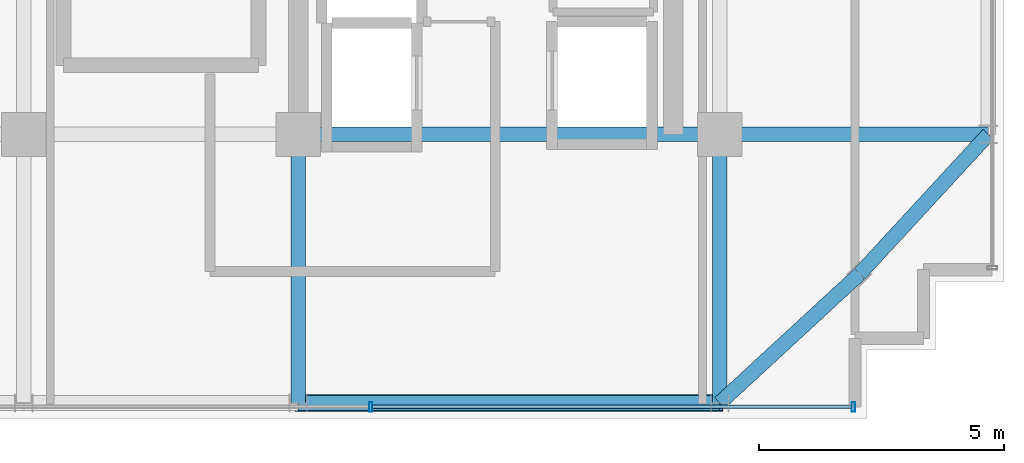
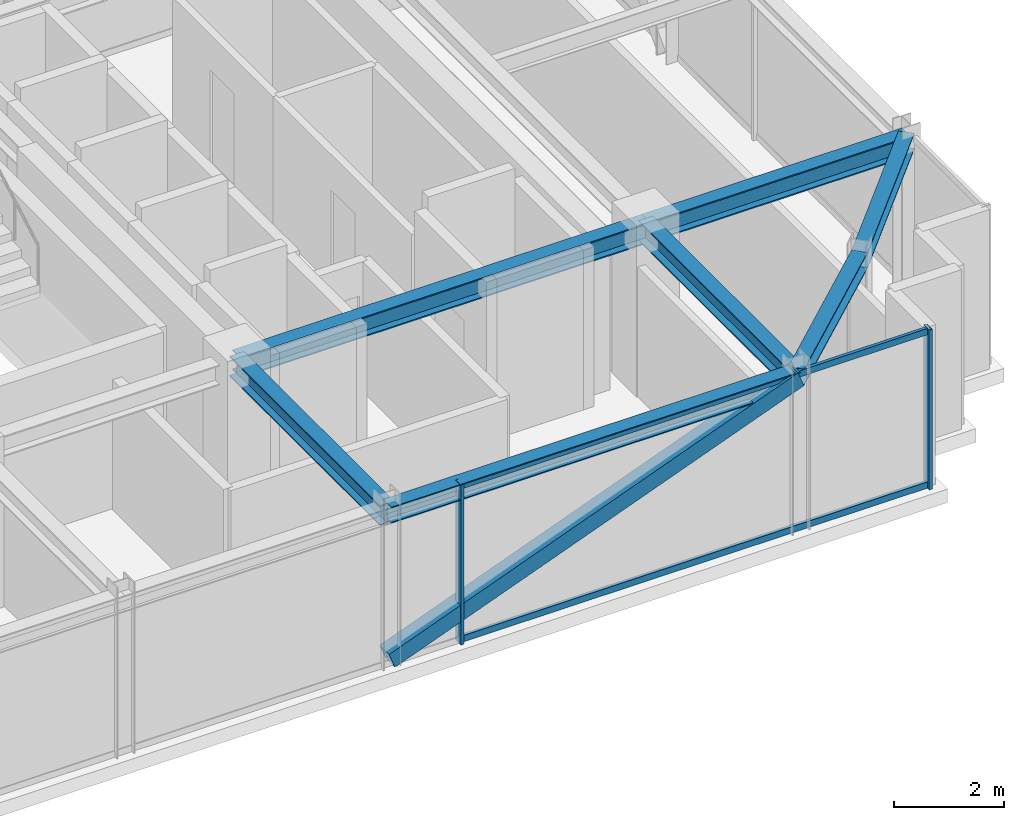
# One storey, part 16 of 41: 7 beams, 5 members, 1 element without a shape of its own.
"""IFC4 building model written with IfcOpenShell, lengths in metres."""

from ifc_helpers import new_model, si_unit, direction, frame, origin, origin_2d, place, context, subcontext, project, spatial, hollow_rectangle, i_section, extrude, source, transform, mapped, material, material_profile, profile_set, type_object, element, aggregate, save


model = new_model("IFC4")

# Units and contexts
model_context = context("Model", 3, precision=1e-05, world=origin(), true_north=direction((0.0, 1.0)))
body_context = subcontext(model_context, "Body", "Model", "MODEL_VIEW")
ifc_project = project(units=[si_unit("LENGTHUNIT", "METRE"), si_unit("AREAUNIT", "SQUARE_METRE"), si_unit("VOLUMEUNIT", "CUBIC_METRE"), si_unit("PLANEANGLEUNIT", "RADIAN"), si_unit("MASSUNIT", "GRAM", prefix="KILO")], contexts=[model_context])

# Site, building, storey
site_placement = place(None, origin())
site = spatial("IfcSite", under=ifc_project, at=site_placement, CompositionType="ELEMENT")
building_placement = place(site_placement, origin())
building = spatial("IfcBuilding", under=site, at=building_placement, Name="Nahalor Promenade Grand Hotel", CompositionType="ELEMENT")
storey_placement = place(building_placement, frame((0.0, 0.0, 304.199951171875)))
storey = spatial("IfcBuildingStorey", under=building, at=storey_placement, Name="L78", CompositionType="ELEMENT", Elevation=304.199951171875)

# Beams
ifc_material_1 = material(Name="Steel S355JR", Category="steel")
ifc_material_profile_1 = material_profile(ifc_material_1, i_section(OverallWidth=0.3, OverallDepth=0.45, WebThickness=0.014, FlangeThickness=0.026, at=origin_2d()), Name="HEB 450")
ifc_profile_set_1 = profile_set([ifc_material_profile_1], Name="Steel S355JR")
beam_type_1 = type_object("IfcBeamType", Name="Beam-Girder-HEB450", PredefinedType="BEAM", material=ifc_profile_set_1)
shared_shape_1 = source(origin(), body_context, "Body", "SweptSolid", [
    extrude(i_section(OverallWidth=0.3, OverallDepth=0.45, WebThickness=0.014, FlangeThickness=0.026, at=origin_2d()), origin(), (0.0, 0.0, 1.0), 8.60009765625),
])
beam_1_placement = place(storey_placement, frame((8.39990234375, -17.0, 3.324951171875), z_axis=(1.0, 0.0, 0.0), x_axis=(0.0, 1.0, 0.0)))
element("IfcBeam", 1, at=beam_1_placement, inside=storey, type_object=beam_type_1, Name="BM-L78-GX-0-5", PredefinedType="BEAM", context=body_context, shape_type="MappedRepresentation", body=[
    mapped(shared_shape_1, transform((0.0, 0.0, 0.0), scale=1.0)),
])
shared_shape_2 = source(origin(), body_context, "Body", "SweptSolid", [
    extrude(i_section(OverallWidth=0.3, OverallDepth=0.45, WebThickness=0.014, FlangeThickness=0.026, at=origin_2d()), origin(), (0.0, 0.0, 1.0), 5.47998046875),
])
for number, where, z_axis, x_axis, name in (
    (2, (17.0, -17.0, 3.324951171875), (1.0, 0.0, 0.0), (0.0, 1.0, 0.0), "BM-L78-GX-0-6"),
    (3, (8.39990234375, -22.47998046875, 3.324951171875), (0.0, 1.0, 0.0), (-1.0, 0.0, 0.0), "BM-L78-GY-4-0"),
    (4, (17.0, -22.47998046875, 3.324951171875), (0.0, 1.0, 0.0), (-1.0, 0.0, 0.0), "BM-L78-GY-5-0"),
):
    element("IfcBeam", number, at=place(storey_placement, frame(where, z_axis=z_axis, x_axis=x_axis)), inside=storey, type_object=beam_type_1, Name=name, PredefinedType="BEAM", context=body_context, shape_type="MappedRepresentation", body=[
        mapped(shared_shape_2, transform((0.0, 0.0, 0.0), scale=1.0)),
    ])
ifc_material_profile_2 = material_profile(ifc_material_1, i_section(OverallWidth=0.3, OverallDepth=0.36, WebThickness=0.0125, FlangeThickness=0.0225, at=origin_2d()), Name="HEB 360")
ifc_profile_set_2 = profile_set([ifc_material_profile_2], Name="Steel S355JR")
beam_type_2 = type_object("IfcBeamType", Name="Beam-Spandrel-HEB360", PredefinedType="SPANDREL", material=ifc_profile_set_2)
shared_shape_3 = source(origin(), body_context, "Body", "SweptSolid", [
    extrude(i_section(OverallWidth=0.3, OverallDepth=0.36, WebThickness=0.0125, FlangeThickness=0.0225, at=origin_2d()), origin(), (0.0, 0.0, 1.0), 8.60009765625),
])
beam_2_placement = place(storey_placement, frame((8.39990234375, -22.47998046875, 3.3701171875), z_axis=(1.0, 0.0, 0.0), x_axis=(0.0, 1.0, 0.0)))
element("IfcBeam", 5, at=beam_2_placement, inside=storey, type_object=beam_type_2, Name="BM-L78-SP-S-4", PredefinedType="SPANDREL", context=body_context, shape_type="MappedRepresentation", body=[
    mapped(shared_shape_3, transform((0.0, 0.0, 0.0), scale=1.0)),
])
shared_shape_4 = source(origin(), body_context, "Body", "SweptSolid", [
    extrude(i_section(OverallWidth=0.3, OverallDepth=0.36, WebThickness=0.0125, FlangeThickness=0.0225, at=origin_2d()), origin(), (0.0, 0.0, 1.0), 3.878173828125),
])
for number, where, z_axis, x_axis, name in (
    (6, (17.0, -22.47998046875, 3.3701171875), (0.73492893846, 0.678144125843, 0.0), (-0.678144125843, 0.73492893846, 0.0), "BM-L78-SPC-SE-1"),
    (7, (19.85009765625, -19.85009765625, 3.3701171875), (0.678144125843, 0.73492893846, 0.0), (-0.73492893846, 0.678144125843, 0.0), "BM-L78-SPC-SE-2"),
):
    element("IfcBeam", number, at=place(storey_placement, frame(where, z_axis=z_axis, x_axis=x_axis)), inside=storey, type_object=beam_type_2, Name=name, PredefinedType="SPANDREL", context=body_context, shape_type="MappedRepresentation", body=[
        mapped(shared_shape_4, transform((0.0, 0.0, 0.0), scale=1.0)),
    ])

# Member
ifc_material_profile_3 = material_profile(ifc_material_1, hollow_rectangle(XDim=0.35, YDim=0.35, WallThickness=0.02, at=origin_2d()), Name="SHS 350x350x20")
ifc_profile_set_3 = profile_set([ifc_material_profile_3], Name="Steel S355JR")
member_type_1 = type_object("IfcMemberType", Name="Mem-VoidBrace-SHS350", PredefinedType="BRACE", material=ifc_profile_set_3)
shared_shape_5 = source(origin(), body_context, "Body", "SweptSolid", [
    extrude(hollow_rectangle(XDim=0.35, YDim=0.35, WallThickness=0.02, at=origin_2d()), origin(), (0.0, 0.0, 1.0), 9.193603515625),
])
member_1_placement = place(storey_placement, frame((8.39990234375, -22.47998046875, 0.150146484375), z_axis=(0.935433460247, 0.0, 0.353502816749), x_axis=(0.0, 1.0, 0.0)))
element("IfcMember", 8, at=member_1_placement, inside=storey, type_object=member_type_1, Name="EXO-L78-S-1", PredefinedType="BRACE", context=body_context, shape_type="MappedRepresentation", body=[
    mapped(shared_shape_5, transform((0.0, 0.0, 0.0), scale=1.0)),
])

# Curtain wall, members
ifc_material_2 = material(Name="Anodised Bronze Aluminium EN AW-6063 T6", Category="aluminium")
curtain_wall_type = type_object("IfcCurtainWallType", Name="CW3 Elliptical-Void Collar Unitised Curtain Wall", PredefinedType="USERDEFINED", material=ifc_material_2)
curtain_wall_placement = place(storey_placement, origin())
curtain_wall = element("IfcCurtainWall", 9, at=curtain_wall_placement, inside=storey, type_object=curtain_wall_type, Name="L78 Curtain Wall CW-L78-S-1", ObjectType="UNITISED_CURTAIN_WALL", PredefinedType="USERDEFINED")
ifc_material_profile_4 = material_profile(ifc_material_2, hollow_rectangle(XDim=0.07, YDim=0.14, WallThickness=0.004, at=origin_2d()), Name="CWT 70x140x4")
ifc_profile_set_4 = profile_set([ifc_material_profile_4], Name="Anodised Bronze Aluminium EN AW-6063 T6")
member_type_2 = type_object("IfcMemberType", Name="CWT3 Void Collar Transom 70x140", PredefinedType="USERDEFINED", material=ifc_profile_set_4)
shared_shape_6 = source(origin(), body_context, "Body", "SweptSolid", [
    extrude(hollow_rectangle(XDim=0.07, YDim=0.14, WallThickness=0.004, at=origin_2d()), origin(), (0.0, 0.0, 1.0), 9.77490234375),
])
member_2_placement = place(storey_placement, frame((9.9150390625, -22.56005859375, 0.070068359375), z_axis=(1.0, 0.0, 0.0), x_axis=(0.0, 1.0, 0.0)))
member_2 = element("IfcMember", 10, at=member_2_placement, type_object=member_type_2, Name="CW-L78-S-1 Transom 3-0", ObjectType="TRANSOM", PredefinedType="USERDEFINED", context=body_context, shape_type="MappedRepresentation", body=[
    mapped(shared_shape_6, transform((0.0, 0.0, 0.0), scale=1.0)),
])
member_3_placement = place(storey_placement, frame((9.9150390625, -22.56005859375, 3.47998046875), z_axis=(1.0, 0.0, 0.0), x_axis=(0.0, 1.0, 0.0)))
member_3 = element("IfcMember", 11, at=member_3_placement, type_object=member_type_2, Name="CW-L78-S-1 Transom 3-1", ObjectType="TRANSOM", PredefinedType="USERDEFINED", context=body_context, shape_type="MappedRepresentation", body=[
    mapped(shared_shape_6, transform((0.0, 0.0, 0.0), scale=1.0)),
])
ifc_material_profile_5 = material_profile(ifc_material_2, hollow_rectangle(XDim=0.07, YDim=0.2, WallThickness=0.005, at=origin_2d()), Name="CWM 70x200x5")
ifc_profile_set_5 = profile_set([ifc_material_profile_5], Name="Anodised Bronze Aluminium EN AW-6063 T6")
member_type_3 = type_object("IfcMemberType", Name="CWM3 Void Collar Mullion 70x200", PredefinedType="MULLION", material=ifc_profile_set_5)
shared_shape_7 = source(origin(), body_context, "Body", "SweptSolid", [
    extrude(hollow_rectangle(XDim=0.07, YDim=0.2, WallThickness=0.005, at=origin_2d()), origin(), (0.0, 0.0, 1.0), 3.550048828125),
])
member_4_placement = place(storey_placement, frame((9.8798828125, -22.56005859375, 0.0), z_axis=(0.0, 0.0, 1.0), x_axis=(1.0, 0.0, 0.0)))
member_4 = element("IfcMember", 12, at=member_4_placement, type_object=member_type_3, Name="CW-L78-S-1 Mullion 3", PredefinedType="MULLION", context=body_context, shape_type="MappedRepresentation", body=[
    mapped(shared_shape_7, transform((0.0, 0.0, 0.0), scale=1.0)),
])
member_5_placement = place(storey_placement, frame((19.72509765625, -22.56005859375, 0.0), z_axis=(0.0, 0.0, 1.0), x_axis=(1.0, 0.0, 0.0)))
member_5 = element("IfcMember", 13, at=member_5_placement, type_object=member_type_3, Name="CW-L78-S-1 Mullion 4", PredefinedType="MULLION", context=body_context, shape_type="MappedRepresentation", body=[
    mapped(shared_shape_7, transform((0.0, 0.0, 0.0), scale=1.0)),
])
aggregate(curtain_wall, [member_4, member_5, member_2, member_3])

save(model, "model.ifc")
